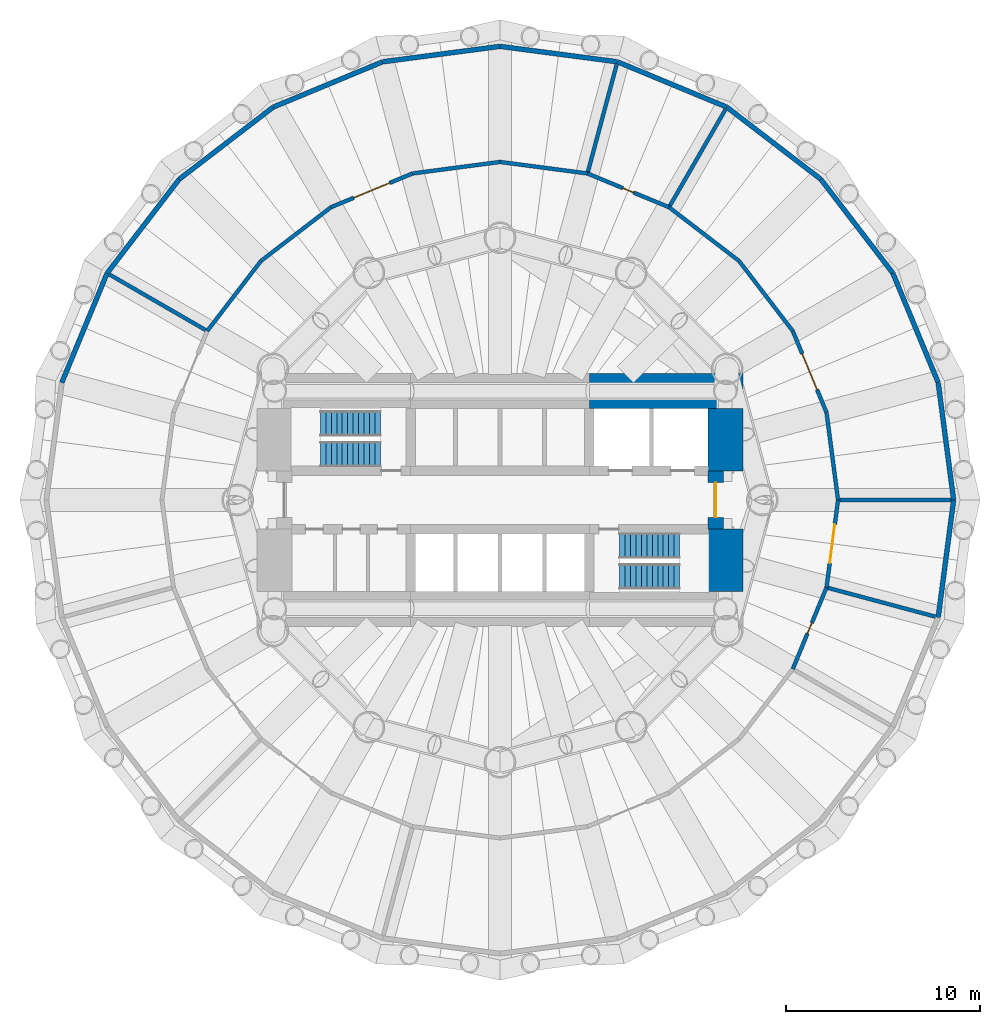
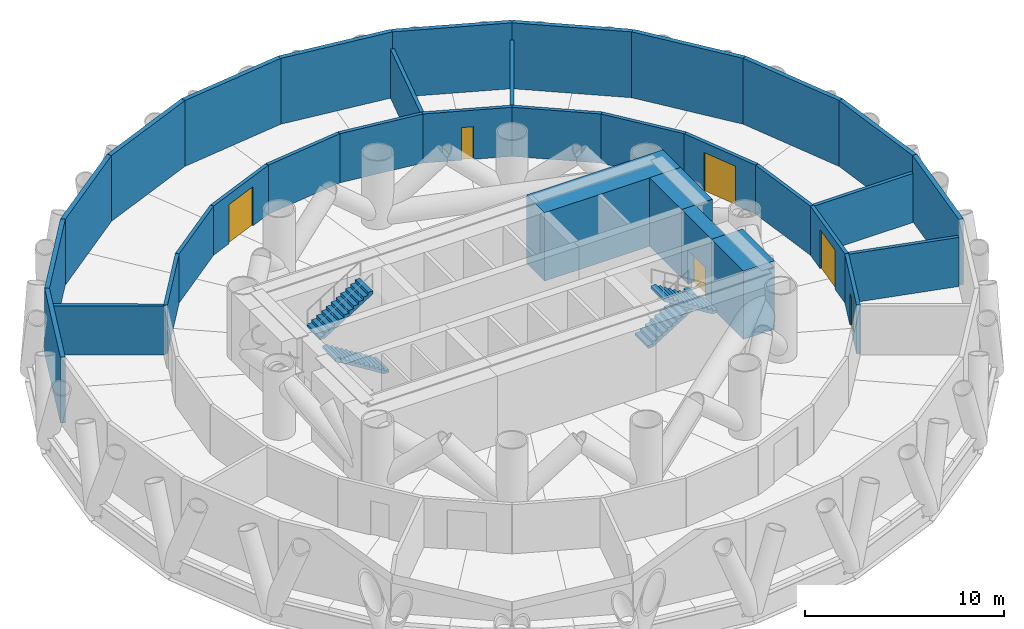
# One storey, part 5 of 6: 33 walls, 6 doors, 4 stair flights, 6 openings, 2 elements without a shape of their own.
"""IFC4 building model written with IfcOpenShell, lengths in metres."""

import ifcopenshell
import ifcopenshell.guid

model = None  # the IFC model being written
_history = None  # IfcOwnerHistory: only IFC2X3 demands one
_inside = {}  # id of a spatial element -> (the spatial element, [elements in it])
_under = {}  # id of a project, library or spatial element -> (it, [spatial elements below it])
_declared = {}  # id of a project -> (the project, [libraries it declares])
_typed = {}  # id of a type object -> (the type object, [elements of that type])
_made_of = {}  # id of a material, layer set ... -> (it, [elements and type objects made of it])


def new_model(schema):
    """Start an empty IFC model of exactly this schema.

    Asked for "IFC4X3", IfcOpenShell would pick the latest addendum, in which some entities
    have other attributes; the version numbers below select the first issue.
    IFC2X3 requires an IfcOwnerHistory on every rooted entity: one is made here for all.
    """
    global model, _history
    if schema == "IFC4X3":
        model = ifcopenshell.file(schema_version=(4, 3, 0, 0))
    else:
        model = ifcopenshell.file(schema=schema)
    _inside.clear()
    _under.clear()
    _declared.clear()
    _typed.clear()
    _made_of.clear()
    _history = None
    if model.schema == "IFC2X3":
        org = make("IfcOrganization", Name="unknown")
        user = make(
            "IfcPersonAndOrganization",
            ThePerson=make("IfcPerson", FamilyName="unknown"),
            TheOrganization=org,
        )
        app = make(
            "IfcApplication",
            ApplicationDeveloper=org,
            Version="unknown",
            ApplicationFullName="unknown",
            ApplicationIdentifier="unknown",
        )
        _history = make(
            "IfcOwnerHistory",
            OwningUser=user,
            OwningApplication=app,
            ChangeAction="ADDED",
            CreationDate=0,
        )
    return model


def make(cls, **values):
    """One entity of the class cls with the attributes given. An attribute that is None is left unset."""
    return model.create_entity(
        cls, **{name: value for name, value in values.items() if value is not None}
    )


def rooted(cls, **values):
    """An entity with a GlobalId (a new one), such as an element, a storey or a relation."""
    return make(cls, GlobalId=ifcopenshell.guid.new(), OwnerHistory=_history, **values)


def si_unit(unit_type, name, prefix=None):
    """IfcSIUnit, for example si_unit("LENGTHUNIT", "METRE", prefix="MILLI")."""
    return make("IfcSIUnit", UnitType=unit_type, Prefix=prefix, Name=name)


def assignment(units):
    """IfcUnitAssignment: the units of a project."""
    return None if units is None else make("IfcUnitAssignment", Units=units)


def point(xyz):
    """IfcCartesianPoint."""
    return None if xyz is None else make("IfcCartesianPoint", Coordinates=xyz)


def direction(xyz):
    """IfcDirection."""
    return None if xyz is None else make("IfcDirection", DirectionRatios=xyz)


def frame(location, z_axis=None, x_axis=None):
    """IfcAxis2Placement3D, a coordinate frame: its origin and axes. An axis left out is left unset."""
    return make(
        "IfcAxis2Placement3D",
        Location=point(location),
        Axis=direction(z_axis),
        RefDirection=direction(x_axis),
    )


def frame_2d(location, x_axis=None):
    """IfcAxis2Placement2D, a coordinate frame in the plane: its origin and x axis."""
    return make(
        "IfcAxis2Placement2D", Location=point(location), RefDirection=direction(x_axis)
    )


def origin():
    """The frame at (0, 0, 0) with its axes left unset."""
    return frame((0.0, 0.0, 0.0))


def place(relative_to, where):
    """IfcLocalPlacement: puts the frame where relative to a parent placement (None: the world)."""
    return make(
        "IfcLocalPlacement", PlacementRelTo=relative_to, RelativePlacement=where
    )


def context(
    kind, dimensions, precision=None, world=None, true_north=None, identifier=None
):
    """IfcGeometricRepresentationContext, for example the 3D "Model" context."""
    return make(
        "IfcGeometricRepresentationContext",
        ContextIdentifier=identifier,
        ContextType=kind,
        CoordinateSpaceDimension=dimensions,
        Precision=precision,
        WorldCoordinateSystem=world,
        TrueNorth=true_north,
    )


def subcontext(parent, identifier, kind, view, scale=None):
    """IfcGeometricRepresentationSubContext, for example "Body" below "Model"."""
    return make(
        "IfcGeometricRepresentationSubContext",
        ContextIdentifier=identifier,
        ContextType=kind,
        ParentContext=parent,
        TargetScale=scale,
        TargetView=view,
    )


def project(units=None, contexts=None):
    """IfcProject with its units and contexts."""
    return rooted(
        "IfcProject",
        Name="project",
        RepresentationContexts=contexts,
        UnitsInContext=assignment(units),
    )


def spatial(cls, under=None, at=None, **own):
    """A site, building, storey or space (cls), placed at a placement, below another one or the project."""
    s = rooted(cls, ObjectPlacement=at, **own)
    if under is not None:
        _under.setdefault(under.id(), (under, []))[1].append(s)
    return s


def polyline(points):
    """IfcPolyline through the points."""
    return make("IfcPolyline", Points=[point(p) for p in points])


def profile(cls, at=None, kind="AREA", **sizes):
    """A parametric profile (cls). Its sizes go by their IFC names, for example OverallWidth=200.0."""
    return make(cls, ProfileType=kind, Position=at, **sizes)


def rectangle(**sizes):
    """IfcRectangleProfileDef."""
    return profile("IfcRectangleProfileDef", **sizes)


def outline(outer, holes=None, kind="AREA"):
    """IfcArbitraryClosedProfileDef: a profile drawn as a closed curve; with holes, ...WithVoids."""
    if holes is None:
        return make("IfcArbitraryClosedProfileDef", ProfileType=kind, OuterCurve=outer)
    return make(
        "IfcArbitraryProfileDefWithVoids",
        ProfileType=kind,
        OuterCurve=outer,
        InnerCurves=holes,
    )


def extrude(swept, where, along, depth):
    """IfcExtrudedAreaSolid: the profile swept, set in the frame where, extruded along a direction by depth."""
    return make(
        "IfcExtrudedAreaSolid",
        SweptArea=swept,
        Position=where,
        ExtrudedDirection=direction(along),
        Depth=depth,
    )


def shape(context_of_items, identifier, shape_type, items):
    """IfcShapeRepresentation: the items that make up one representation, for example the "Body"."""
    return make(
        "IfcShapeRepresentation",
        ContextOfItems=context_of_items,
        RepresentationIdentifier=identifier,
        RepresentationType=shape_type,
        Items=items,
    )


def material(Name=None, Category=None):
    """IfcMaterial."""
    return make("IfcMaterial", Name=Name, Category=Category)


def layer(
    of_material, thickness, ventilated=None, Name=None, Category=None, Priority=None
):
    """IfcMaterialLayer: one layer of a wall or slab, of a material (None: an air gap)."""
    return make(
        "IfcMaterialLayer",
        Material=of_material,
        LayerThickness=thickness,
        IsVentilated=ventilated,
        Name=Name,
        Category=Category,
        Priority=Priority,
    )


def layer_set(layers, Name=None):
    """IfcMaterialLayerSet."""
    return make("IfcMaterialLayerSet", MaterialLayers=layers, LayerSetName=Name)


def made_of(thing, what):
    """Note that an element or type object is made of a material, layer set ...; save() writes the relation."""
    if what is not None:
        _made_of.setdefault(what.id(), (what, []))[1].append(thing)
    return thing


def type_object(cls, material=None, **own):
    """A type object (cls), such as IfcWallType, which elements share."""
    return made_of(rooted(cls, **own), material)


def element(
    cls,
    number,
    at=None,
    inside=None,
    cuts=None,
    type_object=None,
    material=None,
    context=None,
    identifier="Body",
    shape_type=None,
    held_by="IfcProductDefinitionShape",
    body=None,
    shapes=None,
    **own,
):
    """One element of the class cls, such as IfcWall. Its Tag is "e" and its number.

    at: its placement. inside: the storey or other place that contains it. cuts: it is an
    opening in that element (IfcRelVoidsElement). A single representation is given by context,
    identifier, shape_type and body (its items); several are given by shapes. held_by: the class
    of the entity that holds the representations. save() writes the other relations.
    """
    e = rooted(cls, Tag="e%d" % number, ObjectPlacement=at, **own)
    if body is not None:
        shapes = [shape(context, identifier, shape_type, body)]
    if shapes is not None:
        e.Representation = make(held_by, Representations=shapes)
    if inside is not None:
        _inside.setdefault(inside.id(), (inside, []))[1].append(e)
    if cuts is not None:
        rooted(
            "IfcRelVoidsElement", RelatingBuildingElement=cuts, RelatedOpeningElement=e
        )
    if type_object is not None:
        _typed.setdefault(type_object.id(), (type_object, []))[1].append(e)
    return made_of(e, material)


def fill(opening, filler):
    """IfcRelFillsElement: the door or window that sits in an opening."""
    return rooted(
        "IfcRelFillsElement",
        RelatingOpeningElement=opening,
        RelatedBuildingElement=filler,
    )


def aggregate(whole, parts):
    """IfcRelAggregates: a whole, such as a stair, and the parts it consists of."""
    return rooted("IfcRelAggregates", RelatingObject=whole, RelatedObjects=parts)


def save(model, path):
    """Write the relations noted so far, then the file.

    IfcRelAggregates (storeys below a building ...), IfcRelContainedInSpatialStructure (elements
    in a storey), IfcRelDefinesByType, IfcRelAssociatesMaterial and IfcRelDeclares: one each for
    every whole, place, type object, material and project.
    """
    for whole, parts in _under.values():
        aggregate(whole, parts)
    for where, things in _inside.values():
        rooted(
            "IfcRelContainedInSpatialStructure",
            RelatedElements=things,
            RelatingStructure=where,
        )
    for kind, things in _typed.values():
        rooted("IfcRelDefinesByType", RelatedObjects=things, RelatingType=kind)
    for what, things in _made_of.values():
        rooted("IfcRelAssociatesMaterial", RelatedObjects=things, RelatingMaterial=what)
    for by, libraries in _declared.values():
        rooted("IfcRelDeclares", RelatingContext=by, RelatedDefinitions=libraries)
    model.write(path)


model = new_model("IFC4")

# Units and contexts
model_context = context("Model", 3, precision=1e-05, world=origin(), true_north=direction((0.0, 1.0)))
body_context = subcontext(model_context, "Body", "Model", "MODEL_VIEW")
ifc_project = project(units=[si_unit("LENGTHUNIT", "METRE"), si_unit("AREAUNIT", "SQUARE_METRE"), si_unit("VOLUMEUNIT", "CUBIC_METRE"), si_unit("PLANEANGLEUNIT", "RADIAN"), si_unit("MASSUNIT", "GRAM", prefix="KILO")], contexts=[model_context])

# Site, building, storey
site_placement = place(None, origin())
site = spatial("IfcSite", under=ifc_project, at=site_placement, CompositionType="ELEMENT")
building_placement = place(site_placement, origin())
building = spatial("IfcBuilding", under=site, at=building_placement, Name="Qaws Media Tower", CompositionType="ELEMENT")
storey_placement = place(building_placement, frame((0.0, 0.0, 194.0)))
storey = spatial("IfcBuildingStorey", under=building, at=storey_placement, Name="L44", CompositionType="ELEMENT", Elevation=194.0)

# Walls
ifc_material_1 = material(Name="Concrete C60/75", Category="concrete")
ifc_layer_1 = layer(ifc_material_1, 1.800048828125)
ifc_layer_set_1 = layer_set([ifc_layer_1], Name="Core wall 1800")
wall_type_1 = type_object("IfcWallType", Name="Core wall 1800", PredefinedType="SHEAR", material=ifc_layer_set_1)
wall_1_placement = place(storey_placement, frame((64.60009765625, 55.60009765625, 0.0), z_axis=(0.0, 0.0, 1.0), x_axis=(1.0, 0.0, 0.0)))
element("IfcWall", 1, at=wall_1_placement, inside=storey, type_object=wall_type_1, Name="W435 SW11 core wall NE L44", PredefinedType="SHEAR", context=body_context, shape_type="SweptSolid", body=[
    extrude(rectangle(XDim=7.89990234375, YDim=1.800048828125, at=frame_2d((3.949951171875, 0.0))), origin(), (0.0, 0.0, 1.0), 4.199951171875),
])
for number, where, z_axis, x_axis, name in (
    (2, (71.60009765625, 45.280029296875, 0.0), (0.0, 0.0, 1.0), (0.0, 1.0, 0.0), "W436 SW11 core wall ES L44"),
    (3, (71.60009765625, 51.5, 0.0), (0.0, 0.0, 1.0), (0.0, 1.0, 0.0), "W437 SW11 core wall EN L44"),
):
    element("IfcWall", number, at=place(storey_placement, frame(where, z_axis=z_axis, x_axis=x_axis)), inside=storey, type_object=wall_type_1, Name=name, PredefinedType="SHEAR", context=body_context, shape_type="SweptSolid", body=[
        extrude(rectangle(XDim=3.219970703125, YDim=1.800048828125, at=frame_2d((1.60986328125, 0.0))), origin(), (0.0, 0.0, 1.0), 4.199951171875),
    ])

# Wall, opening, door
ifc_material_2 = material(Name="Concrete C60/75", Category="concrete")
ifc_layer_2 = layer(ifc_material_2, 0.800048828125)
ifc_layer_set_2 = layer_set([ifc_layer_2], Name="Core wall 800")
wall_type_2 = type_object("IfcWallType", Name="Core wall 800", PredefinedType="SHEAR", material=ifc_layer_set_2)
wall_2_placement = place(storey_placement, frame((71.10009765625, 48.5, 0.0), z_axis=(0.0, 0.0, 1.0), x_axis=(0.0, 1.0, 0.0)))
wall_2 = element("IfcWall", 4, at=wall_2_placement, inside=storey, type_object=wall_type_2, Name="W441 SW1 core wall E L44", PredefinedType="SHEAR", context=body_context, shape_type="SweptSolid", body=[
    extrude(rectangle(XDim=3.0, YDim=0.800048828125, at=frame_2d((1.5, 0.0))), origin(), (0.0, 0.0, 1.0), 4.199951171875),
])
opening_1_placement = place(wall_2_placement, frame((0.60009765625, 0.0, 0.0)))
opening_1 = element("IfcOpeningElement", 5, at=opening_1_placement, cuts=wall_2, Name="Opening D2", PredefinedType="OPENING", context=body_context, shape_type="SweptSolid", body=[
    extrude(rectangle(XDim=1.800048828125, YDim=2.10009765625, at=frame_2d((0.89990234375, 1.050048828125))), frame((0.0, 0.409912109375, 0.0), z_axis=(0.0, -1.0, 0.0), x_axis=(1.0, 0.0, 0.0)), (0.0, 0.0, 1.0), 0.820068359375),
])
ifc_material_3 = material(Name="Steel and glass, fire rated", Category="steel")
door_type_1 = type_object("IfcDoorType", Name="Lobby door pair 1800 FD60", OperationType="DOUBLE_DOOR_DOUBLE_SWING", PredefinedType="DOOR", material=ifc_material_3)
door_1_placement = place(opening_1_placement, origin())
door_1 = element("IfcDoor", 6, at=door_1_placement, inside=storey, type_object=door_type_1, Name="D2 core lobby door E L44 in wall W441", OperationType="DOUBLE_DOOR_DOUBLE_SWING", OverallHeight=2.10009765625, OverallWidth=1.800048828125, PredefinedType="DOOR", context=body_context, shape_type="SweptSolid", body=[
    extrude(rectangle(XDim=1.800048828125, YDim=2.10009765625, at=frame_2d((0.89990234375, 1.050048828125))), frame((0.0, 0.02490234375, 0.0), z_axis=(0.0, -1.0, 0.0), x_axis=(1.0, 0.0, 0.0)), (0.0, 0.0, 1.0), 0.050048828125),
])
fill(opening_1, door_1)

# Walls
ifc_material_4 = material(Name="Precast concrete louvre panels", Category="concrete")
ifc_layer_3 = layer(ifc_material_4, 0.25)
ifc_layer_set_3 = layer_set([ifc_layer_3], Name="Crown louvre wall 250")
wall_type_3 = type_object("IfcWallType", Name="Crown louvre wall 250", PredefinedType="SOLIDWALL", material=ifc_layer_set_3)
for number, where, z_axis, x_axis, name in (
    (7, (83.35009765625, 50.0, 0.0), (0.0, 0.0, 1.0), (-0.130529108506, 0.991444477433, 0.0), "W489 EW3 louvre wall L44-01"),
    (8, (82.554443359375, 56.04345703125, 0.0), (0.0, 0.0, 1.0), (-0.382694910632, 0.923874777974, 0.0), "W488 EW3 louvre wall L44-02"),
):
    element("IfcWall", number, at=place(storey_placement, frame(where, z_axis=z_axis, x_axis=x_axis)), inside=storey, type_object=wall_type_3, Name=name, PredefinedType="SOLIDWALL", context=body_context, shape_type="SweptSolid", body=[
        extrude(rectangle(XDim=6.095703125, YDim=0.25, at=frame_2d((3.0478515625, 0.0))), origin(), (0.0, 0.0, 1.0), 4.0400390625),
    ])
for number, where, z_axis, x_axis, name in (
    (9, (80.2216796875, 61.675048828125, 0.0), (0.0, 0.0, 1.0), (-0.608756059961, 0.793357460077, 0.0), "W486 EW3 louvre wall L44-03"),
    (10, (76.510986328125, 66.510986328125, 0.0), (0.0, 0.0, 1.0), (-0.793357460077, 0.608756059961, 0.0), "W484 EW3 louvre wall L44-04"),
):
    element("IfcWall", number, at=place(storey_placement, frame(where, z_axis=z_axis, x_axis=x_axis)), inside=storey, type_object=wall_type_3, Name=name, PredefinedType="SOLIDWALL", context=body_context, shape_type="SweptSolid", body=[
        extrude(rectangle(XDim=6.095458984375, YDim=0.25, at=frame_2d((3.0478515625, 0.0))), origin(), (0.0, 0.0, 1.0), 4.0400390625),
    ])
for number, where, z_axis, x_axis, name in (
    (11, (71.675048828125, 70.2216796875, 0.0), (0.0, 0.0, 1.0), (-0.923874777974, 0.382694910632, 0.0), "W482 EW3 louvre wall L44-05"),
    (12, (66.04345703125, 72.554443359375, 0.0), (0.0, 0.0, 1.0), (-0.991444477433, 0.130529108506, 0.0), "W480 EW3 louvre wall L44-06"),
    (13, (60.0, 73.35009765625, 0.0), (0.0, 0.0, 1.0), (-0.991444477433, -0.130529108506, 0.0), "W478 EW3 louvre wall L44-07"),
    (14, (53.95654296875, 72.554443359375, 0.0), (0.0, 0.0, 1.0), (-0.923874777974, -0.382694910632, 0.0), "W476 EW3 louvre wall L44-08"),
):
    element("IfcWall", number, at=place(storey_placement, frame(where, z_axis=z_axis, x_axis=x_axis)), inside=storey, type_object=wall_type_3, Name=name, PredefinedType="SOLIDWALL", context=body_context, shape_type="SweptSolid", body=[
        extrude(rectangle(XDim=6.095703125, YDim=0.25, at=frame_2d((3.0478515625, 0.0))), origin(), (0.0, 0.0, 1.0), 4.0400390625),
    ])
for number, where, z_axis, x_axis, name in (
    (15, (48.324951171875, 70.2216796875, 0.0), (0.0, 0.0, 1.0), (-0.793357460077, -0.608756059961, 0.0), "W474 EW3 louvre wall L44-09"),
    (16, (43.489013671875, 66.510986328125, 0.0), (0.0, 0.0, 1.0), (-0.608756059961, -0.793357460077, 0.0), "W472 EW3 louvre wall L44-10"),
):
    element("IfcWall", number, at=place(storey_placement, frame(where, z_axis=z_axis, x_axis=x_axis)), inside=storey, type_object=wall_type_3, Name=name, PredefinedType="SOLIDWALL", context=body_context, shape_type="SweptSolid", body=[
        extrude(rectangle(XDim=6.095458984375, YDim=0.25, at=frame_2d((3.0478515625, 0.0))), origin(), (0.0, 0.0, 1.0), 4.0400390625),
    ])
for number, where, z_axis, x_axis, name in (
    (17, (39.7783203125, 61.675048828125, 0.0), (0.0, 0.0, 1.0), (-0.382694910632, -0.923874777974, 0.0), "W470 EW3 louvre wall L44-11"),
    (18, (82.554443359375, 43.95654296875, 0.0), (0.0, 0.0, 1.0), (0.130529108506, 0.991444477433, 0.0), "W487 EW3 louvre wall L44-24"),
):
    element("IfcWall", number, at=place(storey_placement, frame(where, z_axis=z_axis, x_axis=x_axis)), inside=storey, type_object=wall_type_3, Name=name, PredefinedType="SOLIDWALL", context=body_context, shape_type="SweptSolid", body=[
        extrude(rectangle(XDim=6.095703125, YDim=0.25, at=frame_2d((3.0478515625, 0.0))), origin(), (0.0, 0.0, 1.0), 4.0400390625),
    ])
ifc_material_5 = material(Name="Gypsum board on galvanised metal studs, acoustic double stud, deflection head", Category="gypsum")
ifc_layer_4 = layer(ifc_material_5, 0.199951171875)
ifc_layer_set_4 = layer_set([ifc_layer_4], Name="Room partition 200")
wall_type_4 = type_object("IfcWallType", Name="Room partition 200", PredefinedType="PARTITIONING", material=ifc_layer_set_4)
for number, where, z_axis, x_axis, name in (
    (19, (44.93115234375, 58.699951171875, 0.0), (0.0, 0.0, 1.0), (0.608744051842, 0.793366673958, 0.0), "W1471 IW3 partition L44"),
    (20, (47.6962890625, 62.3037109375, 0.0), (0.0, 0.0, 1.0), (0.793366673958, 0.608744051842, 0.0), "W1474 IW3 partition L44"),
):
    element("IfcWall", number, at=place(storey_placement, frame(where, z_axis=z_axis, x_axis=x_axis)), inside=storey, type_object=wall_type_4, Name=name, PredefinedType="PARTITIONING", context=body_context, shape_type="SweptSolid", body=[
        extrude(rectangle(XDim=4.54248046875, YDim=0.199951171875, at=frame_2d((2.271240234375, 0.0))), origin(), (0.0, 0.0, 1.0), 3.011962890625),
    ])

# Wall, opening, door
wall_3_placement = place(storey_placement, frame((51.300048828125, 65.06884765625, 0.0), z_axis=(0.0, 0.0, 1.0), x_axis=(0.923877953815, 0.382687243654, 0.0)))
wall_3 = element("IfcWall", 21, at=wall_3_placement, inside=storey, type_object=wall_type_4, Name="W1476 IW3 partition L44", PredefinedType="PARTITIONING", context=body_context, shape_type="SweptSolid", body=[
    extrude(rectangle(XDim=4.542236328125, YDim=0.199951171875, at=frame_2d((2.27099609375, 0.0))), origin(), (0.0, 0.0, 1.0), 3.011962890625),
])
opening_2_placement = place(wall_3_placement, frame((1.271240234375, 0.0, 0.0)))
opening_2 = element("IfcOpeningElement", 22, at=opening_2_placement, cuts=wall_3, Name="Opening D19", PredefinedType="OPENING", context=body_context, shape_type="SweptSolid", body=[
    extrude(rectangle(XDim=2.0, YDim=2.39990234375, at=frame_2d((1.0, 1.199951171875))), frame((0.0, 0.10986328125, 0.0), z_axis=(0.0, -1.0, 0.0), x_axis=(1.0, 0.0, 0.0)), (0.0, 0.0, 1.0), 0.219970703125),
])
ifc_material_6 = material(Name="Steel, fire rated, louvred", Category="steel")
door_type_2 = type_object("IfcDoorType", Name="Plant room door pair 2000x2400", OperationType="DOUBLE_DOOR_DOUBLE_SWING", PredefinedType="DOOR", material=ifc_material_6)
door_2_placement = place(opening_2_placement, origin())
door_2 = element("IfcDoor", 23, at=door_2_placement, inside=storey, type_object=door_type_2, Name="D19 Refuge area (north) door L44 in wall W1476", OperationType="DOUBLE_DOOR_DOUBLE_SWING", OverallHeight=2.39990234375, OverallWidth=2.0, PredefinedType="DOOR", context=body_context, shape_type="SweptSolid", body=[
    extrude(rectangle(XDim=2.0, YDim=2.39990234375, at=frame_2d((1.0, 1.199951171875))), frame((0.0, 0.02490234375, 0.0), z_axis=(0.0, -1.0, 0.0), x_axis=(1.0, 0.0, 0.0)), (0.0, 0.0, 1.0), 0.050048828125),
])
fill(opening_2, door_2)

# Walls
for number, where, z_axis, x_axis, name in (
    (24, (55.49658203125, 66.80712890625, 0.0), (0.0, 0.0, 1.0), (0.991448074351, 0.130501784914, 0.0), "W1479 IW3 partition L44"),
    (25, (60.0, 67.39990234375, 0.0), (0.0, 0.0, 1.0), (0.991448074351, -0.130501784914, 0.0), "W1481 IW3 partition L44"),
):
    element("IfcWall", number, at=place(storey_placement, frame(where, z_axis=z_axis, x_axis=x_axis)), inside=storey, type_object=wall_type_4, Name=name, PredefinedType="PARTITIONING", context=body_context, shape_type="SweptSolid", body=[
        extrude(rectangle(XDim=4.542236328125, YDim=0.199951171875, at=frame_2d((2.27099609375, 0.0))), origin(), (0.0, 0.0, 1.0), 3.011962890625),
    ])

# Wall, opening, door
wall_4_placement = place(storey_placement, frame((64.50341796875, 66.80712890625, 0.0), z_axis=(0.0, 0.0, 1.0), x_axis=(0.923877953815, -0.382687243654, 0.0)))
wall_4 = element("IfcWall", 26, at=wall_4_placement, inside=storey, type_object=wall_type_4, Name="W1484 IW3 partition L44", PredefinedType="PARTITIONING", context=body_context, shape_type="SweptSolid", body=[
    extrude(rectangle(XDim=4.542236328125, YDim=0.199951171875, at=frame_2d((2.27099609375, 0.0))), origin(), (0.0, 0.0, 1.0), 3.011962890625),
])
opening_3_placement = place(wall_4_placement, frame((1.97119140625, 0.0, 0.0)))
opening_3 = element("IfcOpeningElement", 27, at=opening_3_placement, cuts=wall_4, Name="Opening D24", PredefinedType="OPENING", context=body_context, shape_type="SweptSolid", body=[
    extrude(rectangle(XDim=0.60009765625, YDim=2.0, at=frame_2d((0.300048828125, 1.0))), frame((0.0, 0.10986328125, 0.0), z_axis=(0.0, -1.0, 0.0), x_axis=(1.0, 0.0, 0.0)), (0.0, 0.0, 1.0), 0.219970703125),
])
ifc_material_7 = material(Name="Steel, fire rated, lockable", Category="steel")
door_type_3 = type_object("IfcDoorType", Name="Riser access door 600x2000", OperationType="SINGLE_SWING_LEFT", PredefinedType="DOOR", material=ifc_material_7)
door_3_placement = place(opening_3_placement, origin())
door_3 = element("IfcDoor", 28, at=door_3_placement, inside=storey, type_object=door_type_3, Name="D24 Riser room door L44 in wall W1484", OperationType="SINGLE_SWING_LEFT", OverallHeight=2.0, OverallWidth=0.60009765625, PredefinedType="DOOR", context=body_context, shape_type="SweptSolid", body=[
    extrude(rectangle(XDim=0.60009765625, YDim=2.0, at=frame_2d((0.300048828125, 1.0))), frame((0.0, 0.02490234375, 0.0), z_axis=(0.0, -1.0, 0.0), x_axis=(1.0, 0.0, 0.0)), (0.0, 0.0, 1.0), 0.050048828125),
])
fill(opening_3, door_3)

# Walls
for number, where, z_axis, x_axis, name in (
    (29, (68.699951171875, 65.06884765625, 0.0), (0.0, 0.0, 1.0), (0.793366673958, -0.608744051842, 0.0), "W1487 IW3 partition L44"),
    (30, (72.3037109375, 62.3037109375, 0.0), (0.0, 0.0, 1.0), (0.608744051842, -0.793366673958, 0.0), "W1489 IW3 partition L44"),
):
    element("IfcWall", number, at=place(storey_placement, frame(where, z_axis=z_axis, x_axis=x_axis)), inside=storey, type_object=wall_type_4, Name=name, PredefinedType="PARTITIONING", context=body_context, shape_type="SweptSolid", body=[
        extrude(rectangle(XDim=4.54248046875, YDim=0.199951171875, at=frame_2d((2.271240234375, 0.0))), origin(), (0.0, 0.0, 1.0), 3.011962890625),
    ])

# Wall, opening, door
wall_5_placement = place(storey_placement, frame((75.06884765625, 58.699951171875, 0.0), z_axis=(0.0, 0.0, 1.0), x_axis=(0.382687243654, -0.923877953815, 0.0)))
wall_5 = element("IfcWall", 31, at=wall_5_placement, inside=storey, type_object=wall_type_4, Name="W1492 IW3 partition L44", PredefinedType="PARTITIONING", context=body_context, shape_type="SweptSolid", body=[
    extrude(rectangle(XDim=4.542236328125, YDim=0.199951171875, at=frame_2d((2.27099609375, 0.0))), origin(), (0.0, 0.0, 1.0), 3.011962890625),
])
opening_4_placement = place(wall_5_placement, frame((1.271240234375, 0.0, 0.0)))
opening_4 = element("IfcOpeningElement", 32, at=opening_4_placement, cuts=wall_5, Name="Opening D19", PredefinedType="OPENING", context=body_context, shape_type="SweptSolid", body=[
    extrude(rectangle(XDim=2.0, YDim=2.39990234375, at=frame_2d((1.0, 1.199951171875))), frame((0.0, 0.10986328125, 0.0), z_axis=(0.0, -1.0, 0.0), x_axis=(1.0, 0.0, 0.0)), (0.0, 0.0, 1.0), 0.219970703125),
])
door_4_placement = place(opening_4_placement, origin())
door_4 = element("IfcDoor", 33, at=door_4_placement, inside=storey, type_object=door_type_2, Name="D19 AHU plant room door L44 in wall W1492", OperationType="DOUBLE_DOOR_DOUBLE_SWING", OverallHeight=2.39990234375, OverallWidth=2.0, PredefinedType="DOOR", context=body_context, shape_type="SweptSolid", body=[
    extrude(rectangle(XDim=2.0, YDim=2.39990234375, at=frame_2d((1.0, 1.199951171875))), frame((0.0, 0.02490234375, 0.0), z_axis=(0.0, -1.0, 0.0), x_axis=(1.0, 0.0, 0.0)), (0.0, 0.0, 1.0), 0.050048828125),
])
fill(opening_4, door_4)

# Wall
wall_6_placement = place(storey_placement, frame((76.80712890625, 54.50341796875, 0.0), z_axis=(0.0, 0.0, 1.0), x_axis=(0.130501784914, -0.991448074351, 0.0)))
element("IfcWall", 34, at=wall_6_placement, inside=storey, type_object=wall_type_4, Name="W1495 IW3 partition L44", PredefinedType="PARTITIONING", context=body_context, shape_type="SweptSolid", body=[
    extrude(rectangle(XDim=4.542236328125, YDim=0.199951171875, at=frame_2d((2.27099609375, 0.0))), origin(), (0.0, 0.0, 1.0), 3.011962890625),
])

# Wall, opening, door
wall_7_placement = place(storey_placement, frame((77.39990234375, 50.0, 0.0), z_axis=(0.0, 0.0, 1.0), x_axis=(-0.130501784914, -0.991448074351, 0.0)))
wall_7 = element("IfcWall", 35, at=wall_7_placement, inside=storey, type_object=wall_type_4, Name="W1496 IW3 partition L44", PredefinedType="PARTITIONING", context=body_context, shape_type="SweptSolid", body=[
    extrude(rectangle(XDim=4.542236328125, YDim=0.199951171875, at=frame_2d((2.27099609375, 0.0))), origin(), (0.0, 0.0, 1.0), 3.011962890625),
])
opening_5_placement = place(wall_7_placement, frame((1.271240234375, 0.0, 0.0)))
opening_5 = element("IfcOpeningElement", 36, at=opening_5_placement, cuts=wall_7, Name="Opening D19", PredefinedType="OPENING", context=body_context, shape_type="SweptSolid", body=[
    extrude(rectangle(XDim=2.0, YDim=2.39990234375, at=frame_2d((1.0, 1.199951171875))), frame((0.0, 0.10986328125, 0.0), z_axis=(0.0, -1.0, 0.0), x_axis=(1.0, 0.0, 0.0)), (0.0, 0.0, 1.0), 0.219970703125),
])
door_5_placement = place(opening_5_placement, origin())
door_5 = element("IfcDoor", 37, at=door_5_placement, inside=storey, type_object=door_type_2, Name="D19 AHU plant room door L44 in wall W1496", OperationType="DOUBLE_DOOR_DOUBLE_SWING", OverallHeight=2.39990234375, OverallWidth=2.0, PredefinedType="DOOR", context=body_context, shape_type="SweptSolid", body=[
    extrude(rectangle(XDim=2.0, YDim=2.39990234375, at=frame_2d((1.0, 1.199951171875))), frame((0.0, 0.02490234375, 0.0), z_axis=(0.0, -1.0, 0.0), x_axis=(1.0, 0.0, 0.0)), (0.0, 0.0, 1.0), 0.050048828125),
])
fill(opening_5, door_5)

wall_8_placement = place(storey_placement, frame((76.80712890625, 45.49658203125, 0.0), z_axis=(0.0, 0.0, 1.0), x_axis=(-0.382687243654, -0.923877953815, 0.0)))
wall_8 = element("IfcWall", 38, at=wall_8_placement, inside=storey, type_object=wall_type_4, Name="W1493 IW3 partition L44", PredefinedType="PARTITIONING", context=body_context, shape_type="SweptSolid", body=[
    extrude(rectangle(XDim=4.542236328125, YDim=0.199951171875, at=frame_2d((2.27099609375, 0.0))), origin(), (0.0, 0.0, 1.0), 3.011962890625),
])
opening_6_placement = place(wall_8_placement, frame((1.97119140625, 0.0, 0.0)))
opening_6 = element("IfcOpeningElement", 39, at=opening_6_placement, cuts=wall_8, Name="Opening D24", PredefinedType="OPENING", context=body_context, shape_type="SweptSolid", body=[
    extrude(rectangle(XDim=0.60009765625, YDim=2.0, at=frame_2d((0.300048828125, 1.0))), frame((0.0, 0.10986328125, 0.0), z_axis=(0.0, -1.0, 0.0), x_axis=(1.0, 0.0, 0.0)), (0.0, 0.0, 1.0), 0.219970703125),
])
door_6_placement = place(opening_6_placement, origin())
door_6 = element("IfcDoor", 40, at=door_6_placement, inside=storey, type_object=door_type_3, Name="D24 Riser room door L44 in wall W1493", OperationType="SINGLE_SWING_LEFT", OverallHeight=2.0, OverallWidth=0.60009765625, PredefinedType="DOOR", context=body_context, shape_type="SweptSolid", body=[
    extrude(rectangle(XDim=0.60009765625, YDim=2.0, at=frame_2d((0.300048828125, 1.0))), frame((0.0, 0.02490234375, 0.0), z_axis=(0.0, -1.0, 0.0), x_axis=(1.0, 0.0, 0.0)), (0.0, 0.0, 1.0), 0.050048828125),
])
fill(opening_6, door_6)

# Walls
for number, where, z_axis, x_axis, name in (
    (41, (77.39990234375, 50.0, 0.0), (0.0, 0.0, 1.0), (1.0, 0.0, 0.0), "W1497 IW3 partition L44"),
    (42, (68.699951171875, 65.06884765625, 0.0), (0.0, 0.0, 1.0), (0.500006411147, 0.866021702275, 0.0), "W1486 IW3 partition L44"),
):
    element("IfcWall", number, at=place(storey_placement, frame(where, z_axis=z_axis, x_axis=x_axis)), inside=storey, type_object=wall_type_4, Name=name, PredefinedType="PARTITIONING", context=body_context, shape_type="SweptSolid", body=[
        extrude(rectangle(XDim=5.80517578125, YDim=0.199951171875, at=frame_2d((2.902587890625, 0.0))), origin(), (0.0, 0.0, 1.0), 3.011962890625),
    ])
wall_9_placement = place(storey_placement, frame((64.50341796875, 66.80712890625, 0.0), z_axis=(0.0, 0.0, 1.0), x_axis=(0.258819472716, 0.96592571171, 0.0)))
element("IfcWall", 43, at=wall_9_placement, inside=storey, type_object=wall_type_4, Name="W1483 IW3 partition L44", PredefinedType="PARTITIONING", context=body_context, shape_type="SweptSolid", body=[
    extrude(rectangle(XDim=5.804931640625, YDim=0.199951171875, at=frame_2d((2.90234375, 0.0))), origin(), (0.0, 0.0, 1.0), 3.011962890625),
])
wall_10_placement = place(storey_placement, frame((44.93115234375, 58.699951171875, 0.0), z_axis=(0.0, 0.0, 1.0), x_axis=(-0.866021702275, 0.500006411147, 0.0)))
element("IfcWall", 44, at=wall_10_placement, inside=storey, type_object=wall_type_4, Name="W1470 IW3 partition L44", PredefinedType="PARTITIONING", context=body_context, shape_type="SweptSolid", body=[
    extrude(rectangle(XDim=5.80517578125, YDim=0.199951171875, at=frame_2d((2.902587890625, 0.0))), origin(), (0.0, 0.0, 1.0), 3.011962890625),
])
wall_11_placement = place(storey_placement, frame((76.80712890625, 45.49658203125, 0.0), z_axis=(0.0, 0.0, 1.0), x_axis=(0.96592571171, -0.258819472716, 0.0)))
element("IfcWall", 45, at=wall_11_placement, inside=storey, type_object=wall_type_4, Name="W1494 IW3 partition L44", PredefinedType="PARTITIONING", context=body_context, shape_type="SweptSolid", body=[
    extrude(rectangle(XDim=5.804931640625, YDim=0.199951171875, at=frame_2d((2.90234375, 0.0))), origin(), (0.0, 0.0, 1.0), 3.011962890625),
])

# Stair, stair flights
ifc_material_8 = material(Name="Concrete C40/50", Category="concrete")
stair_type = type_object("IfcStairType", Name="Exit stair", PredefinedType="HALF_TURN_STAIR", material=ifc_material_8)
stair_1_placement = place(storey_placement, origin())
stair_1 = element("IfcStair", 46, at=stair_1_placement, inside=storey, type_object=stair_type, Name="S1 exit stair L44", PredefinedType="HALF_TURN_STAIR")
ifc_material_9 = material(Name="Concrete C40/50", Category="concrete")
stair_flight_type = type_object("IfcStairFlightType", Name="Stair flight 1310", PredefinedType="STRAIGHT", material=ifc_material_9)
stair_flight_1_placement = place(storey_placement, frame((53.840087890625, 52.35498046875, 0.0), z_axis=(0.0, 0.0, 1.0), x_axis=(-1.0, 0.0, 0.0)))
stair_flight_1 = element("IfcStairFlight", 47, at=stair_flight_1_placement, type_object=stair_flight_type, Name="S1 flight 1", NumberOfRisers=12, NumberOfTreads=11, PredefinedType="STRAIGHT", RiserHeight=0.175, TreadLength=0.28, context=body_context, shape_type="SweptSolid", body=[
    extrude(outline(polyline([(0.0, 0.0), (0.0, 0.175048828125), (0.280029296875, 0.175048828125), (0.280029296875, 0.35009765625), (0.56005859375, 0.35009765625), (0.56005859375, 0.52490234375), (0.840087890625, 0.52490234375), (0.840087890625, 0.699951171875), (1.1201171875, 0.699951171875), (1.1201171875, 0.875), (1.39990234375, 0.875), (1.39990234375, 1.050048828125), (1.679931640625, 1.050048828125), (1.679931640625, 1.22509765625), (1.9599609375, 1.22509765625), (1.9599609375, 1.39990234375), (2.239990234375, 1.39990234375), (2.239990234375, 1.574951171875), (2.52001953125, 1.574951171875), (2.52001953125, 1.75), (2.800048828125, 1.75), (2.800048828125, 1.925048828125), (3.080078125, 1.925048828125), (3.080078125, 2.10009765625), (3.080078125, 1.748291015625), (0.28271484375, 0.0), (0.0, 0.0)])), frame((0.0, 0.655029296875, 0.0), z_axis=(0.0, -1.0, 0.0), x_axis=(1.0, 0.0, 0.0)), (0.0, 0.0, 1.0), 1.31005859375),
])
stair_flight_2_placement = place(storey_placement, frame((50.760009765625, 53.945068359375, 2.10009765625), z_axis=(0.0, 0.0, 1.0), x_axis=(1.0, 0.0, 0.0)))
stair_flight_2 = element("IfcStairFlight", 48, at=stair_flight_2_placement, type_object=stair_flight_type, Name="S1 flight 2", NumberOfRisers=12, NumberOfTreads=11, PredefinedType="STRAIGHT", RiserHeight=0.175, TreadLength=0.28, context=body_context, shape_type="SweptSolid", body=[
    extrude(outline(polyline([(0.0, 0.0), (0.0, 0.175048828125), (0.280029296875, 0.175048828125), (0.280029296875, 0.35009765625), (0.56005859375, 0.35009765625), (0.56005859375, 0.52490234375), (0.840087890625, 0.52490234375), (0.840087890625, 0.699951171875), (1.1201171875, 0.699951171875), (1.1201171875, 0.875), (1.39990234375, 0.875), (1.39990234375, 1.050048828125), (1.679931640625, 1.050048828125), (1.679931640625, 1.22509765625), (1.9599609375, 1.22509765625), (1.9599609375, 1.39990234375), (2.239990234375, 1.39990234375), (2.239990234375, 1.574951171875), (2.52001953125, 1.574951171875), (2.52001953125, 1.75), (2.800048828125, 1.75), (2.800048828125, 1.925048828125), (3.080078125, 1.925048828125), (3.080078125, 2.10009765625), (3.080078125, 1.748291015625), (0.28271484375, 0.0), (0.0, 0.0)])), frame((0.0, 0.655029296875, 0.0), z_axis=(0.0, -1.0, 0.0), x_axis=(1.0, 0.0, 0.0)), (0.0, 0.0, 1.0), 1.31005859375),
])
aggregate(stair_1, [stair_flight_1, stair_flight_2])

stair_2_placement = place(storey_placement, origin())
stair_2 = element("IfcStair", 49, at=stair_2_placement, inside=storey, type_object=stair_type, Name="S2 exit stair L44", PredefinedType="HALF_TURN_STAIR")
stair_flight_3_placement = place(storey_placement, frame((66.159912109375, 47.64501953125, 0.0), z_axis=(0.0, 0.0, 1.0), x_axis=(1.0, 0.0, 0.0)))
stair_flight_3 = element("IfcStairFlight", 50, at=stair_flight_3_placement, type_object=stair_flight_type, Name="S2 flight 1", NumberOfRisers=12, NumberOfTreads=11, PredefinedType="STRAIGHT", RiserHeight=0.175, TreadLength=0.28, context=body_context, shape_type="SweptSolid", body=[
    extrude(outline(polyline([(0.0, 0.0), (0.0, 0.175048828125), (0.280029296875, 0.175048828125), (0.280029296875, 0.35009765625), (0.56005859375, 0.35009765625), (0.56005859375, 0.52490234375), (0.840087890625, 0.52490234375), (0.840087890625, 0.699951171875), (1.1201171875, 0.699951171875), (1.1201171875, 0.875), (1.39990234375, 0.875), (1.39990234375, 1.050048828125), (1.679931640625, 1.050048828125), (1.679931640625, 1.22509765625), (1.9599609375, 1.22509765625), (1.9599609375, 1.39990234375), (2.239990234375, 1.39990234375), (2.239990234375, 1.574951171875), (2.52001953125, 1.574951171875), (2.52001953125, 1.75), (2.800048828125, 1.75), (2.800048828125, 1.925048828125), (3.080078125, 1.925048828125), (3.080078125, 2.10009765625), (3.080078125, 1.748291015625), (0.28271484375, 0.0), (0.0, 0.0)])), frame((0.0, 0.655029296875, 0.0), z_axis=(0.0, -1.0, 0.0), x_axis=(1.0, 0.0, 0.0)), (0.0, 0.0, 1.0), 1.31005859375),
])
stair_flight_4_placement = place(storey_placement, frame((69.239990234375, 46.054931640625, 2.10009765625), z_axis=(0.0, 0.0, 1.0), x_axis=(-1.0, 0.0, 0.0)))
stair_flight_4 = element("IfcStairFlight", 51, at=stair_flight_4_placement, type_object=stair_flight_type, Name="S2 flight 2", NumberOfRisers=12, NumberOfTreads=11, PredefinedType="STRAIGHT", RiserHeight=0.175, TreadLength=0.28, context=body_context, shape_type="SweptSolid", body=[
    extrude(outline(polyline([(0.0, 0.0), (0.0, 0.175048828125), (0.280029296875, 0.175048828125), (0.280029296875, 0.35009765625), (0.56005859375, 0.35009765625), (0.56005859375, 0.52490234375), (0.840087890625, 0.52490234375), (0.840087890625, 0.699951171875), (1.1201171875, 0.699951171875), (1.1201171875, 0.875), (1.39990234375, 0.875), (1.39990234375, 1.050048828125), (1.679931640625, 1.050048828125), (1.679931640625, 1.22509765625), (1.9599609375, 1.22509765625), (1.9599609375, 1.39990234375), (2.239990234375, 1.39990234375), (2.239990234375, 1.574951171875), (2.52001953125, 1.574951171875), (2.52001953125, 1.75), (2.800048828125, 1.75), (2.800048828125, 1.925048828125), (3.080078125, 1.925048828125), (3.080078125, 2.10009765625), (3.080078125, 1.748291015625), (0.28271484375, 0.0), (0.0, 0.0)])), frame((0.0, 0.655029296875, 0.0), z_axis=(0.0, -1.0, 0.0), x_axis=(1.0, 0.0, 0.0)), (0.0, 0.0, 1.0), 1.31005859375),
])
aggregate(stair_2, [stair_flight_3, stair_flight_4])

save(model, "model.ifc")
